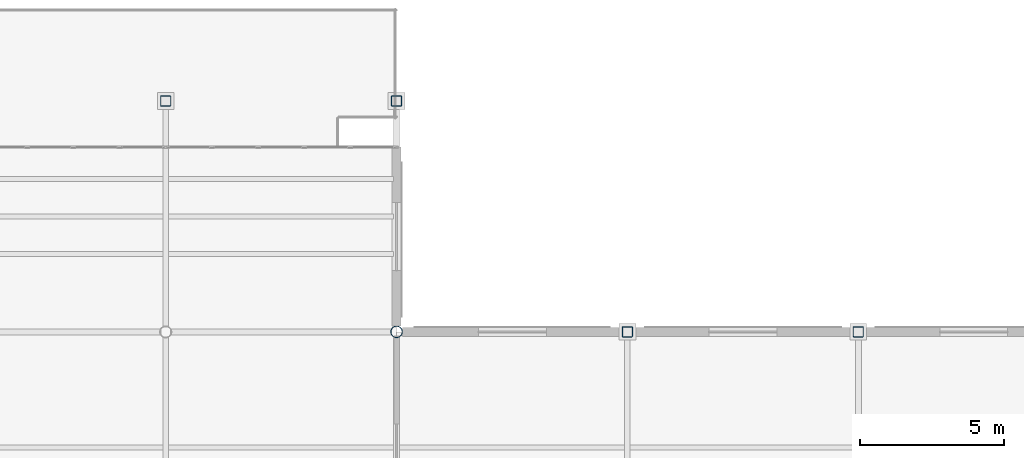
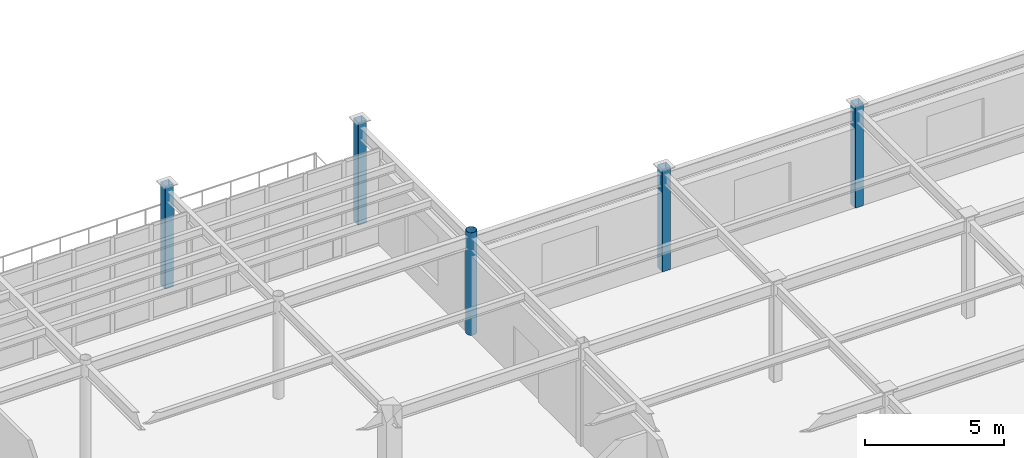
# One storey, part 7 of 111: 5 columns.
"""IFC4 building model written with IfcOpenShell, lengths in metres."""

from ifc_helpers import new_model, si_unit, direction, frame, origin, origin_2d, place, context, subcontext, project, spatial, hollow_rectangle, hollow_circle, extrude, material, material_profile, profile_set, type_object, element, save


model = new_model("IFC4")

# Units and contexts
model_context = context("Model", 3, precision=1e-05, world=origin(), true_north=direction((0.0, 1.0)))
body_context = subcontext(model_context, "Body", "Model", "MODEL_VIEW")
ifc_project = project(units=[si_unit("LENGTHUNIT", "METRE"), si_unit("AREAUNIT", "SQUARE_METRE"), si_unit("VOLUMEUNIT", "CUBIC_METRE"), si_unit("PLANEANGLEUNIT", "RADIAN"), si_unit("MASSUNIT", "GRAM", prefix="KILO")], contexts=[model_context])

# Site, building, storey
site_placement = place(None, origin())
site = spatial("IfcSite", under=ifc_project, at=site_placement, CompositionType="ELEMENT")
building_placement = place(site_placement, origin())
building = spatial("IfcBuilding", under=site, at=building_placement, Name="Solmirada Galleria", CompositionType="ELEMENT")
storey_placement = place(building_placement, frame((0.0, 0.0, 10.39990234375)))
storey = spatial("IfcBuildingStorey", under=building, at=storey_placement, Name="L02", CompositionType="ELEMENT", Elevation=10.39990234375)

# Columns
ifc_material = material(Name="Steel S355 / ASTM A500 Grade C", Category="steel")
ifc_material_profile_1 = material_profile(ifc_material, hollow_circle(Radius=0.202880859375, WallThickness=0.01171875, at=origin_2d()), Name="HSS16.000X0.500")
ifc_profile_set_1 = profile_set([ifc_material_profile_1], Name="Steel S355 / ASTM A500 Grade C")
column_type_1 = type_object("IfcColumnType", Name="COL-CHS16", PredefinedType="COLUMN", material=ifc_profile_set_1)
column_placement = place(storey_placement, frame((144.0, 32.0, 0.0), z_axis=(0.0, 0.0, 1.0), x_axis=(1.0, 0.0, 0.0)))
element("IfcColumn", 1, at=column_placement, inside=storey, type_object=column_type_1, Name="Structural column L02-1228", PredefinedType="COLUMN", context=body_context, shape_type="SweptSolid", body=[
    extrude(hollow_circle(Radius=0.202880859375, WallThickness=0.01171875, at=origin_2d()), origin(), (0.0, 0.0, 1.0), 4.5),
])
ifc_material_profile_2 = material_profile(ifc_material, hollow_rectangle(XDim=0.35595703125, YDim=0.35595703125, WallThickness=0.01171875, InnerFilletRadius=0.01171875, OuterFilletRadius=0.023681640625, at=origin_2d()), Name="HSS14X14X1/2")
ifc_profile_set_2 = profile_set([ifc_material_profile_2], Name="Steel S355 / ASTM A500 Grade C")
column_type_2 = type_object("IfcColumnType", Name="COL-HSS14", PredefinedType="COLUMN", material=ifc_profile_set_2)
for number, where, z_axis, x_axis, name in (
    (2, (136.0, 40.0, 0.0), (0.0, 0.0, 1.0), (1.0, 0.0, 0.0), "Structural column L02-1145"),
    (3, (144.0, 40.0, 0.0), (0.0, 0.0, 1.0), (1.0, 0.0, 0.0), "Structural column L02-1235"),
    (4, (152.0, 32.0, 0.0), (0.0, 0.0, 1.0), (1.0, 0.0, 0.0), "Structural column L02-1310"),
    (5, (160.0, 32.0, 0.0), (0.0, 0.0, 1.0), (1.0, 0.0, 0.0), "Structural column L02-1383"),
):
    element("IfcColumn", number, at=place(storey_placement, frame(where, z_axis=z_axis, x_axis=x_axis)), inside=storey, type_object=column_type_2, Name=name, PredefinedType="COLUMN", context=body_context, shape_type="SweptSolid", body=[
        extrude(hollow_rectangle(XDim=0.35595703125, YDim=0.35595703125, WallThickness=0.01171875, InnerFilletRadius=0.01171875, OuterFilletRadius=0.023681640625, at=origin_2d()), origin(), (0.0, 0.0, 1.0), 4.5),
    ])

save(model, "model.ifc")
